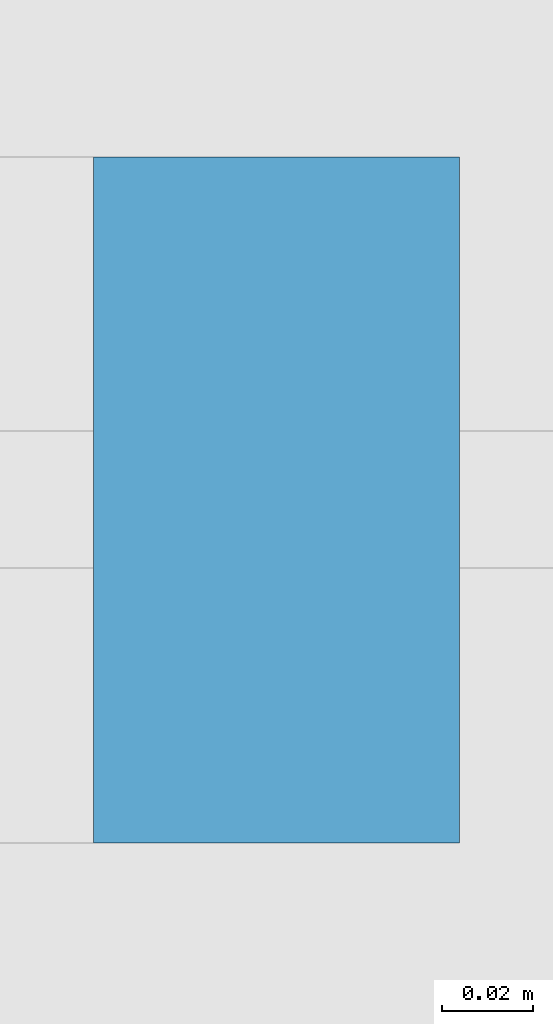
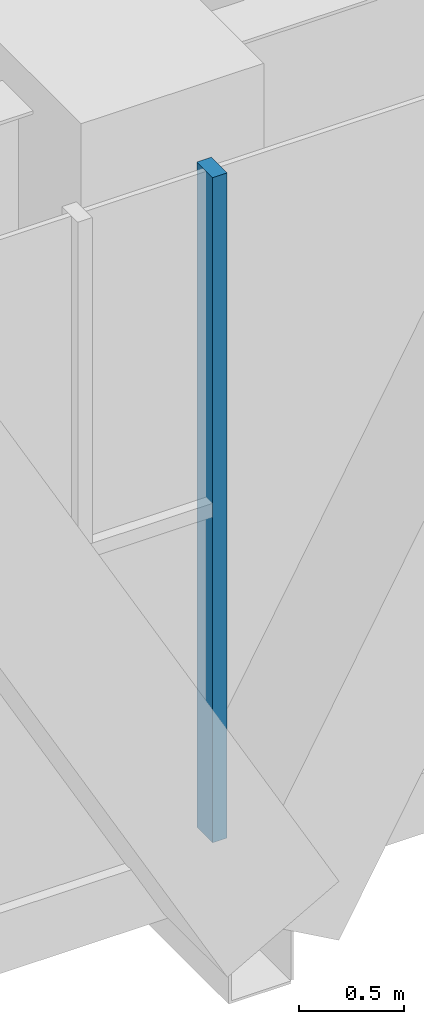
# One storey, part 5 of 21: 1 member, 1 element without a shape of its own.
"""IFC4 building model written with IfcOpenShell, lengths in metres."""

from ifc_helpers import new_model, si_unit, direction, frame, origin, origin_2d, place, context, subcontext, project, spatial, rectangle, extrude, material, layer, layer_set, material_profile, profile_set, type_object, element, aggregate, save


model = new_model("IFC4")

# Units and contexts
model_context = context("Model", 3, precision=1e-05, world=origin(), true_north=direction((0.0, 1.0)))
body_context = subcontext(model_context, "Body", "Model", "MODEL_VIEW")
ifc_project = project(units=[si_unit("LENGTHUNIT", "METRE"), si_unit("AREAUNIT", "SQUARE_METRE"), si_unit("VOLUMEUNIT", "CUBIC_METRE"), si_unit("PLANEANGLEUNIT", "RADIAN"), si_unit("MASSUNIT", "GRAM", prefix="KILO")], contexts=[model_context])

# Site, building, storey
site_placement = place(None, origin())
site = spatial("IfcSite", under=ifc_project, at=site_placement, CompositionType="ELEMENT")
building_placement = place(site_placement, origin())
building = spatial("IfcBuilding", under=site, at=building_placement, Name="Firuza Gate Tower and Library", CompositionType="ELEMENT")
storey_placement = place(building_placement, frame((0.0, 0.0, 90.39990234375)))
storey = spatial("IfcBuildingStorey", under=building, at=storey_placement, Name="L20", CompositionType="ELEMENT", Elevation=90.39990234375)

# Curtain wall, member
ifc_material_1 = material(Name="Aluminium 6063-T6", Category="aluminium")
ifc_layer = layer(ifc_material_1, 0.14990234375)
ifc_layer_set = layer_set([ifc_layer], Name="Unitised curtain wall, offices")
curtain_wall_type = type_object("IfcCurtainWallType", Name="Unitised curtain wall, offices", PredefinedType="NOTDEFINED", material=ifc_layer_set)
curtain_wall_placement = place(storey_placement, origin())
curtain_wall = element("IfcCurtainWall", 1, at=curtain_wall_placement, inside=storey, type_object=curtain_wall_type, Name="CW1 L20 S face", PredefinedType="NOTDEFINED")
ifc_material_2 = material(Name="Aluminium 6063-T6", Category="aluminium")
ifc_material_profile = material_profile(ifc_material_2, rectangle(XDim=0.14990234375, YDim=0.080078125, at=origin_2d()))
ifc_profile_set = profile_set([ifc_material_profile], Name="Aluminium 6063-T6")
member_type = type_object("IfcMemberType", Name="Curtain wall mullion 80x150", PredefinedType="MULLION", material=ifc_profile_set)
member_placement = place(storey_placement, frame((75.0, 54.48095703125, 0.150146484375), z_axis=(0.0, 0.0, 1.0), x_axis=(0.0, 1.0, 0.0)))
member = element("IfcMember", 2, at=member_placement, type_object=member_type, Name="Mullion", PredefinedType="MULLION", context=body_context, shape_type="SweptSolid", body=[
    extrude(rectangle(XDim=0.14990234375, YDim=0.080078125, at=origin_2d()), origin(), (0.0, 0.0, 1.0), 3.849853515625),
])
aggregate(curtain_wall, [member])

save(model, "model.ifc")
